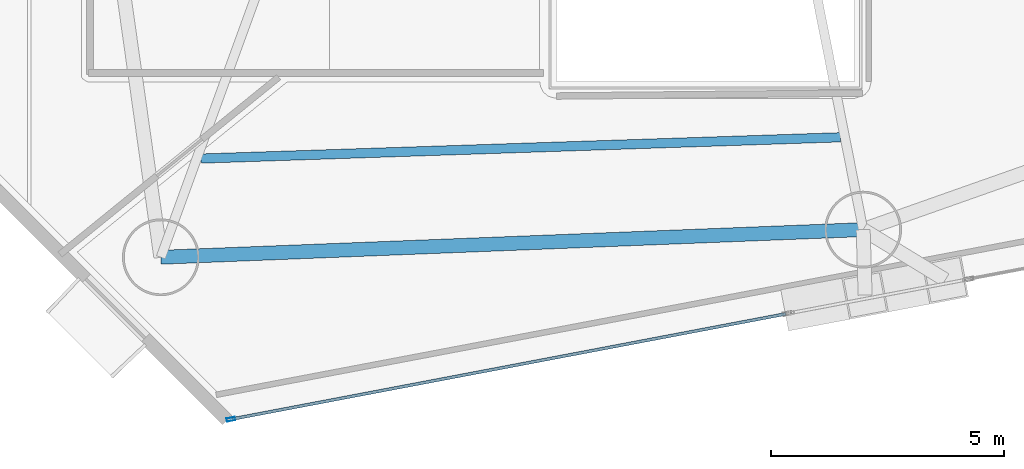
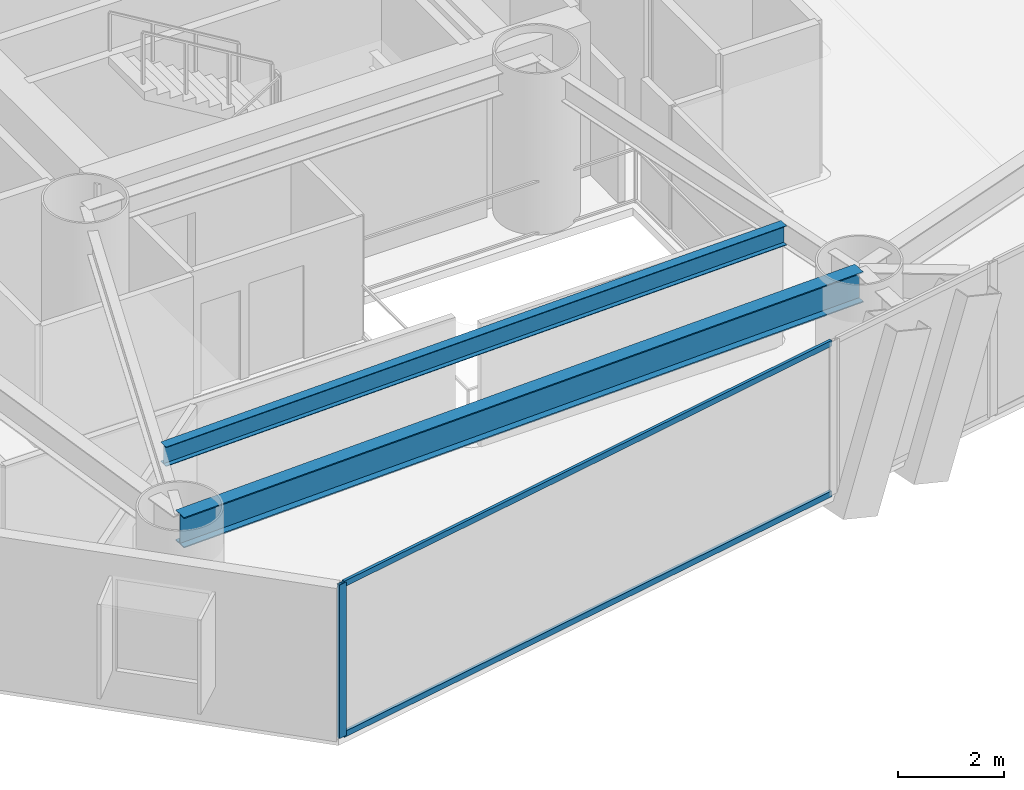
# One storey, part 2 of 23: 3 members, 2 beams, 1 element without a shape of its own.
"""IFC4 building model written with IfcOpenShell, lengths in metres."""

from ifc_helpers import new_model, si_unit, direction, frame, origin, origin_2d, place, context, subcontext, project, spatial, hollow_rectangle, i_section, extrude, material, layer, layer_set, material_profile, profile_set, type_object, element, aggregate, save


model = new_model("IFC4")

# Units and contexts
model_context = context("Model", 3, precision=1e-05, world=origin(), true_north=direction((0.0, 1.0)))
body_context = subcontext(model_context, "Body", "Model", "MODEL_VIEW")
ifc_project = project(units=[si_unit("LENGTHUNIT", "METRE"), si_unit("AREAUNIT", "SQUARE_METRE"), si_unit("VOLUMEUNIT", "CUBIC_METRE"), si_unit("PLANEANGLEUNIT", "RADIAN"), si_unit("MASSUNIT", "GRAM", prefix="KILO")], contexts=[model_context])

# Site, building, storey
site_placement = place(None, origin())
site = spatial("IfcSite", under=ifc_project, at=site_placement, CompositionType="ELEMENT")
building_placement = place(site_placement, origin())
building = spatial("IfcBuilding", under=site, at=building_placement, Name="Qianvela Tower", CompositionType="ELEMENT")
storey_placement = place(building_placement, frame((0.0, 0.0, 85.800048828125)))
storey = spatial("IfcBuildingStorey", under=building, at=storey_placement, Name="L21", CompositionType="ELEMENT", Elevation=85.800048828125)

# Beams
ifc_material_1 = material(Name="Steel Q355B", Category="steel")
ifc_material_profile_1 = material_profile(ifc_material_1, i_section(OverallWidth=0.199951171875, OverallDepth=0.449951171875, WebThickness=0.009033203125, FlangeThickness=0.013916015625, at=origin_2d()), Name="HN450x200x9x14")
ifc_profile_set_1 = profile_set([ifc_material_profile_1], Name="Steel Q355B")
beam_type_1 = type_object("IfcBeamType", Name="BM-HN450-JOIST", PredefinedType="JOIST", material=ifc_profile_set_1)
beam_1_placement = place(storey_placement, frame((25.9658203125, 16.345703125, 3.29296875), z_axis=(0.999447329793, 0.033242066273, 0.0), x_axis=(-0.033242066273, 0.999447329793, 0.0)))
element("IfcBeam", 1, at=beam_1_placement, inside=storey, type_object=beam_type_1, Name="L21 Secondary Composite Floor Joist 5.3", PredefinedType="JOIST", context=body_context, shape_type="SweptSolid", body=[
    extrude(i_section(OverallWidth=0.199951171875, OverallDepth=0.449951171875, WebThickness=0.009033203125, FlangeThickness=0.013916015625, at=origin_2d()), origin(), (0.0, 0.0, 1.0), 13.7412109375),
])
ifc_material_2 = material(Name="Steel Q355B", Category="steel")
ifc_material_profile_2 = material_profile(ifc_material_2, i_section(OverallWidth=0.300048828125, OverallDepth=0.699951171875, WebThickness=0.012939453125, FlangeThickness=0.02392578125, at=origin_2d()), Name="HN700x300x13x24")
ifc_profile_set_2 = profile_set([ifc_material_profile_2], Name="Steel Q355B")
beam_type_2 = type_object("IfcBeamType", Name="BM-HN700-SPAND", PredefinedType="SPANDREL", material=ifc_profile_set_2)
beam_2_placement = place(storey_placement, frame((25.10009765625, 14.22509765625, 3.16796875), z_axis=(0.999226043345, 0.039335916178, 0.0), x_axis=(-0.039335916178, 0.999226043345, 0.0)))
element("IfcBeam", 2, at=beam_2_placement, inside=storey, type_object=beam_type_2, Name="L21 Perimeter Ring Spandrel Girder 5", PredefinedType="SPANDREL", context=body_context, shape_type="SweptSolid", body=[
    extrude(i_section(OverallWidth=0.300048828125, OverallDepth=0.699951171875, WebThickness=0.012939453125, FlangeThickness=0.02392578125, at=origin_2d()), origin(), (0.0, 0.0, 1.0), 15.1005859375),
])

# Curtain wall, members
ifc_material_3 = material(Name="Anodised Architectural Aluminium and Low-E Glass", Category="aluminium")
ifc_layer = layer(ifc_material_3, 0.179931640625)
ifc_layer_set = layer_set([ifc_layer], Name="Anodised Architectural Aluminium and Low-E Glass")
curtain_wall_type = type_object("IfcCurtainWallType", Name="CW-COLIV-Z12", PredefinedType="USERDEFINED", material=ifc_layer_set)
curtain_wall_placement = place(storey_placement, origin())
curtain_wall = element("IfcCurtainWall", 3, at=curtain_wall_placement, inside=storey, type_object=curtain_wall_type, Name="L21 CW-COLIV-Z12 Curtain Wall 06A", ObjectType="CURTAIN_WALL_SYSTEM", PredefinedType="USERDEFINED")
ifc_material_4 = material(Name="Anodised Architectural Aluminium 6063-T6", Category="aluminium")
ifc_material_profile_3 = material_profile(ifc_material_4, hollow_rectangle(XDim=0.070068359375, YDim=0.179931640625, WallThickness=0.0048828125, at=origin_2d()), Name="ALU-MULL-70x180")
ifc_profile_set_3 = profile_set([ifc_material_profile_3], Name="Anodised Architectural Aluminium 6063-T6")
member_type_1 = type_object("IfcMemberType", Name="CW-COLIV-Z12-MULL", PredefinedType="MULLION", material=ifc_profile_set_3)
member_1_placement = place(storey_placement, frame((26.604736328125, 10.74365234375, 0.0), z_axis=(0.0, 0.0, 1.0), x_axis=(-0.186576351738, 0.982440463831, 0.0)))
member_1 = element("IfcMember", 4, at=member_1_placement, type_object=member_type_1, Name="CW-3 mullion 1", PredefinedType="MULLION", context=body_context, shape_type="SweptSolid", body=[
    extrude(hollow_rectangle(XDim=0.070068359375, YDim=0.179931640625, WallThickness=0.0048828125, at=origin_2d()), origin(), (0.0, 0.0, 1.0), 3.52001953125),
])
ifc_material_5 = material(Name="Anodised Architectural Aluminium 6063-T6", Category="aluminium")
ifc_material_profile_4 = material_profile(ifc_material_5, hollow_rectangle(XDim=0.06494140625, YDim=0.1298828125, WallThickness=0.00439453125, at=origin_2d()), Name="ALU-TRAN-65x130")
ifc_profile_set_4 = profile_set([ifc_material_profile_4], Name="Anodised Architectural Aluminium 6063-T6")
member_type_2 = type_object("IfcMemberType", Name="CW-COLIV-Z12-TRAN", PredefinedType="USERDEFINED", material=ifc_profile_set_4)
member_2_placement = place(storey_placement, frame((26.63916015625, 10.750244140625, 0.032470703125), z_axis=(0.98244032143, 0.186577101564, 0.0), x_axis=(-0.186577101564, 0.98244032143, 0.0)))
member_2 = element("IfcMember", 5, at=member_2_placement, type_object=member_type_2, Name="CW-3 transom 1.1", ObjectType="TRANSOM", PredefinedType="USERDEFINED", context=body_context, shape_type="SweptSolid", body=[
    extrude(hollow_rectangle(XDim=0.06494140625, YDim=0.1298828125, WallThickness=0.00439453125, at=origin_2d()), origin(), (0.0, 0.0, 1.0), 12.099853515625),
])
member_3_placement = place(storey_placement, frame((26.63916015625, 10.750244140625, 3.487548828125), z_axis=(0.98244032143, 0.186577101564, 0.0), x_axis=(-0.186577101564, 0.98244032143, 0.0)))
member_3 = element("IfcMember", 6, at=member_3_placement, type_object=member_type_2, Name="CW-3 transom 1.2", ObjectType="TRANSOM", PredefinedType="USERDEFINED", context=body_context, shape_type="SweptSolid", body=[
    extrude(hollow_rectangle(XDim=0.06494140625, YDim=0.1298828125, WallThickness=0.00439453125, at=origin_2d()), origin(), (0.0, 0.0, 1.0), 12.099853515625),
])
aggregate(curtain_wall, [member_1, member_2, member_3])

save(model, "model.ifc")
